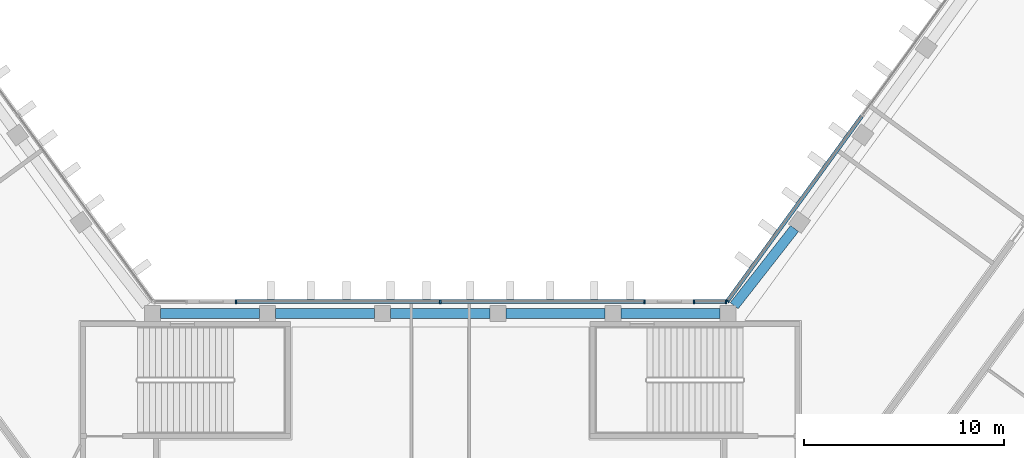
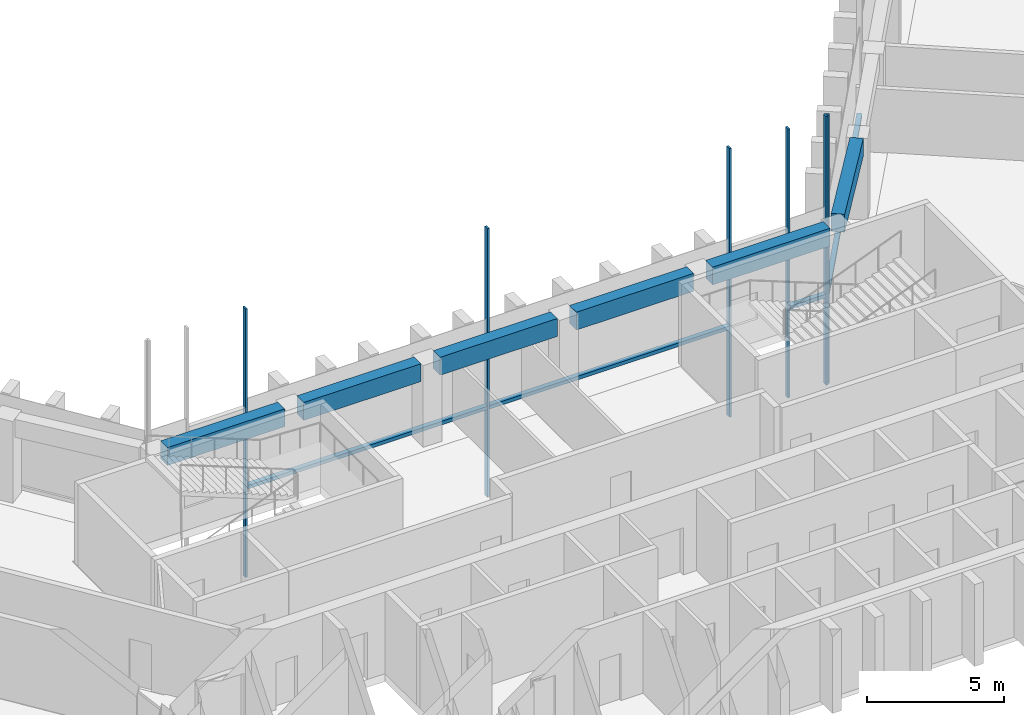
# One storey, part 3 of 13: 10 members, 6 beams, 3 elements without a shape of their own.
"""IFC4 building model written with IfcOpenShell, lengths in metres."""

from ifc_helpers import new_model, si_unit, direction, frame, origin, origin_2d, place, context, subcontext, project, spatial, rectangle, extrude, material, material_profile, profile_set, type_object, element, aggregate, save


model = new_model("IFC4")

# Units and contexts
model_context = context("Model", 3, precision=1e-05, world=origin(), true_north=direction((0.0, 1.0)))
body_context = subcontext(model_context, "Body", "Model", "MODEL_VIEW")
ifc_project = project(units=[si_unit("LENGTHUNIT", "METRE"), si_unit("AREAUNIT", "SQUARE_METRE"), si_unit("VOLUMEUNIT", "CUBIC_METRE"), si_unit("PLANEANGLEUNIT", "RADIAN"), si_unit("MASSUNIT", "GRAM", prefix="KILO")], contexts=[model_context])

# Site, building, storey
site_placement = place(None, origin())
site = spatial("IfcSite", under=ifc_project, at=site_placement, CompositionType="ELEMENT")
building_placement = place(site_placement, origin())
building = spatial("IfcBuilding", under=site, at=building_placement, Name="Quipu Civic Tower", CompositionType="ELEMENT")
storey_placement = place(building_placement, frame((0.0, 0.0, 148.0)))
storey = spatial("IfcBuildingStorey", under=building, at=storey_placement, Name="L34", CompositionType="ELEMENT", Elevation=148.0)

# Curtain wall, member
ifc_material_1 = material(Name="Insulated glass unit", Category="glass")
curtain_wall_type = type_object("IfcCurtainWallType", Name="Office curtain wall CW1", PredefinedType="NOTDEFINED", material=ifc_material_1)
curtain_wall_1_placement = place(storey_placement, origin())
curtain_wall_1 = element("IfcCurtainWall", 1, at=curtain_wall_1_placement, inside=storey, type_object=curtain_wall_type, Name="Office curtain wall CW1 L33 run 26", PredefinedType="NOTDEFINED")
ifc_material_2 = material(Name="Anodised aluminium", Category="aluminium")
ifc_material_profile_1 = material_profile(ifc_material_2, rectangle(XDim=0.199951171875, YDim=0.080078125, at=origin_2d()), Name="RECT 200x80")
ifc_profile_set_1 = profile_set([ifc_material_profile_1], Name="Anodised aluminium")
member_type_1 = type_object("IfcMemberType", Name="Mullion CW1", PredefinedType="MULLION", material=ifc_profile_set_1)
member_1_placement = place(storey_placement, frame((14.36767578125, 11.13232421875, -3.919921875), z_axis=(0.0, 0.0, 1.0), x_axis=(0.809014469803, -0.587788727052, 0.0)))
member_1 = element("IfcMember", 2, at=member_1_placement, type_object=member_type_1, Name="CW1 mullion 3", PredefinedType="MULLION", context=body_context, shape_type="SweptSolid", body=[
    extrude(rectangle(XDim=0.199951171875, YDim=0.080078125, at=origin_2d()), origin(), (0.0, 0.0, 1.0), 12.0),
])

# Curtain wall, members
curtain_wall_2_placement = place(storey_placement, origin())
curtain_wall_2 = element("IfcCurtainWall", 3, at=curtain_wall_2_placement, inside=storey, type_object=curtain_wall_type, Name="Office curtain wall CW1 L33 run 27", PredefinedType="NOTDEFINED")
member_2_placement = place(storey_placement, frame((14.30419921875, 11.10009765625, -3.919921875), z_axis=(0.0, 0.0, 1.0), x_axis=(0.0, -1.0, 0.0)))
member_2 = element("IfcMember", 4, at=member_2_placement, type_object=member_type_1, Name="CW1 mullion 1", PredefinedType="MULLION", context=body_context, shape_type="SweptSolid", body=[
    extrude(rectangle(XDim=0.199951171875, YDim=0.080078125, at=origin_2d()), origin(), (0.0, 0.0, 1.0), 12.0),
])
member_3_placement = place(storey_placement, frame((12.695068359375, 11.10009765625, -3.919921875), z_axis=(0.0, 0.0, 1.0), x_axis=(0.0, -1.0, 0.0)))
member_3 = element("IfcMember", 5, at=member_3_placement, type_object=member_type_1, Name="CW1 mullion 2", PredefinedType="MULLION", context=body_context, shape_type="SweptSolid", body=[
    extrude(rectangle(XDim=0.199951171875, YDim=0.080078125, at=origin_2d()), origin(), (0.0, 0.0, 1.0), 12.0),
])

curtain_wall_3_placement = place(storey_placement, origin())
curtain_wall_3 = element("IfcCurtainWall", 6, at=curtain_wall_3_placement, inside=storey, type_object=curtain_wall_type, Name="Office curtain wall CW1 L33 run 29", PredefinedType="NOTDEFINED")
member_4_placement = place(storey_placement, frame((10.223388671875, 11.10009765625, -3.919921875), z_axis=(0.0, 0.0, 1.0), x_axis=(0.0, -1.0, 0.0)))
member_4 = element("IfcMember", 7, at=member_4_placement, type_object=member_type_1, Name="CW1 mullion 1", PredefinedType="MULLION", context=body_context, shape_type="SweptSolid", body=[
    extrude(rectangle(XDim=0.199951171875, YDim=0.080078125, at=origin_2d()), origin(), (0.0, 0.0, 1.0), 12.0),
])
member_5_placement = place(storey_placement, frame((0.0, 11.10009765625, -3.919921875), z_axis=(0.0, 0.0, 1.0), x_axis=(0.0, -1.0, 0.0)))
member_5 = element("IfcMember", 8, at=member_5_placement, type_object=member_type_1, Name="CW1 mullion 2", PredefinedType="MULLION", context=body_context, shape_type="SweptSolid", body=[
    extrude(rectangle(XDim=0.199951171875, YDim=0.080078125, at=origin_2d()), origin(), (0.0, 0.0, 1.0), 12.0),
])
member_6_placement = place(storey_placement, frame((-10.223388671875, 11.10009765625, -3.919921875), z_axis=(0.0, 0.0, 1.0), x_axis=(0.0, -1.0, 0.0)))
member_6 = element("IfcMember", 9, at=member_6_placement, type_object=member_type_1, Name="CW1 mullion 3", PredefinedType="MULLION", context=body_context, shape_type="SweptSolid", body=[
    extrude(rectangle(XDim=0.199951171875, YDim=0.080078125, at=origin_2d()), origin(), (0.0, 0.0, 1.0), 12.0),
])

# Beams
ifc_material_3 = material(Name="Concrete C50/60", Category="concrete")
ifc_material_profile_2 = material_profile(ifc_material_3, rectangle(XDim=0.5, YDim=0.800048828125, at=origin_2d()), Name="RC500x800")
ifc_profile_set_2 = profile_set([ifc_material_profile_2], Name="Concrete C50/60")
beam_type = type_object("IfcBeamType", Name="Spandrel beam RC 500x800 C50/60", PredefinedType="SPANDREL", material=ifc_profile_set_2)
beam_placement = place(storey_placement, frame((17.72705078125, 14.759765625, 3.25), z_axis=(-0.616090612932, -0.787675286306, 0.0), x_axis=(0.787675286306, -0.616090612932, 0.0)))
element("IfcBeam", 10, at=beam_placement, inside=storey, type_object=beam_type, Name="Spandrel beam L34 E-IN-01 to J-Ei.0", PredefinedType="SPANDREL", context=body_context, shape_type="SweptSolid", body=[
    extrude(rectangle(XDim=0.5, YDim=0.800048828125, at=origin_2d()), origin(), (0.0, 0.0, 1.0), 4.900390625),
])
for number, where, z_axis, x_axis, name in (
    (11, (13.9951171875, 10.5, 3.25), (-1.0, 0.0, 0.0), (0.0, -1.0, 0.0), "Spandrel beam L34 J-Ei.0 to FRONT-01"),
    (12, (8.237060546875, 10.5, 3.25), (-1.0, 0.0, 0.0), (0.0, -1.0, 0.0), "Spandrel beam L34 FRONT-01 to FRONT-02"),
    (13, (2.47900390625, 10.5, 3.25), (-1.0, 0.0, 0.0), (0.0, -1.0, 0.0), "Spandrel beam L34 FRONT-02 to FRONT-03"),
    (14, (-3.279052734375, 10.5, 3.25), (-1.0, 0.0, 0.0), (0.0, -1.0, 0.0), "Spandrel beam L34 FRONT-03 to FRONT-04"),
    (15, (-9.037109375, 10.5, 3.25), (-1.0, 0.0, 0.0), (0.0, -1.0, 0.0), "Spandrel beam L34 FRONT-04 to J-Wi.0"),
):
    element("IfcBeam", number, at=place(storey_placement, frame(where, z_axis=z_axis, x_axis=x_axis)), inside=storey, type_object=beam_type, Name=name, PredefinedType="SPANDREL", context=body_context, shape_type="SweptSolid", body=[
        extrude(rectangle(XDim=0.5, YDim=0.800048828125, at=origin_2d()), origin(), (0.0, 0.0, 1.0), 4.9580078125),
    ])

# Member
ifc_material_4 = material(Name="Anodised aluminium", Category="aluminium")
ifc_material_profile_3 = material_profile(ifc_material_4, rectangle(XDim=0.199951171875, YDim=0.159912109375, at=origin_2d()), Name="RECT 200x160")
ifc_profile_set_3 = profile_set([ifc_material_profile_3], Name="Anodised aluminium")
member_type_2 = type_object("IfcMemberType", Name="Transom CW1", PredefinedType="USERDEFINED", material=ifc_profile_set_3)
member_7_placement = place(storey_placement, frame((21.09326171875, 20.38916015625, 0.080078125), z_axis=(-0.587799878401, -0.809006367683, 0.0), x_axis=(0.809006367683, -0.587799878401, 0.0)))
member_7 = element("IfcMember", 16, at=member_7_placement, type_object=member_type_2, Name="CW1 transom 2.2", ObjectType="TRANSOM", PredefinedType="USERDEFINED", context=body_context, shape_type="SweptSolid", body=[
    extrude(rectangle(XDim=0.199951171875, YDim=0.159912109375, at=origin_2d()), origin(), (0.0, 0.0, 1.0), 11.402099609375),
])

aggregate(curtain_wall_1, [member_1, member_7])

member_8_placement = place(storey_placement, frame((14.26416015625, 11.10009765625, 0.080078125), z_axis=(-1.0, 0.0, 0.0), x_axis=(0.0, -1.0, 0.0)))
member_8 = element("IfcMember", 17, at=member_8_placement, type_object=member_type_2, Name="CW1 transom 1.2", ObjectType="TRANSOM", PredefinedType="USERDEFINED", context=body_context, shape_type="SweptSolid", body=[
    extrude(rectangle(XDim=0.199951171875, YDim=0.159912109375, at=origin_2d()), origin(), (0.0, 0.0, 1.0), 1.529052734375),
])

aggregate(curtain_wall_2, [member_2, member_3, member_8])

member_9_placement = place(storey_placement, frame((10.18359375, 11.10009765625, 0.080078125), z_axis=(-1.0, 0.0, 0.0), x_axis=(0.0, -1.0, 0.0)))
member_9 = element("IfcMember", 18, at=member_9_placement, type_object=member_type_2, Name="CW1 transom 1.2", ObjectType="TRANSOM", PredefinedType="USERDEFINED", context=body_context, shape_type="SweptSolid", body=[
    extrude(rectangle(XDim=0.199951171875, YDim=0.159912109375, at=origin_2d()), origin(), (0.0, 0.0, 1.0), 10.1435546875),
])

member_10_placement = place(storey_placement, frame((-0.0400390625, 11.10009765625, 0.080078125), z_axis=(-1.0, 0.0, 0.0), x_axis=(0.0, -1.0, 0.0)))
member_10 = element("IfcMember", 19, at=member_10_placement, type_object=member_type_2, Name="CW1 transom 2.2", ObjectType="TRANSOM", PredefinedType="USERDEFINED", context=body_context, shape_type="SweptSolid", body=[
    extrude(rectangle(XDim=0.199951171875, YDim=0.159912109375, at=origin_2d()), origin(), (0.0, 0.0, 1.0), 10.1435546875),
])

aggregate(curtain_wall_3, [member_4, member_5, member_6, member_9, member_10])

save(model, "model.ifc")
